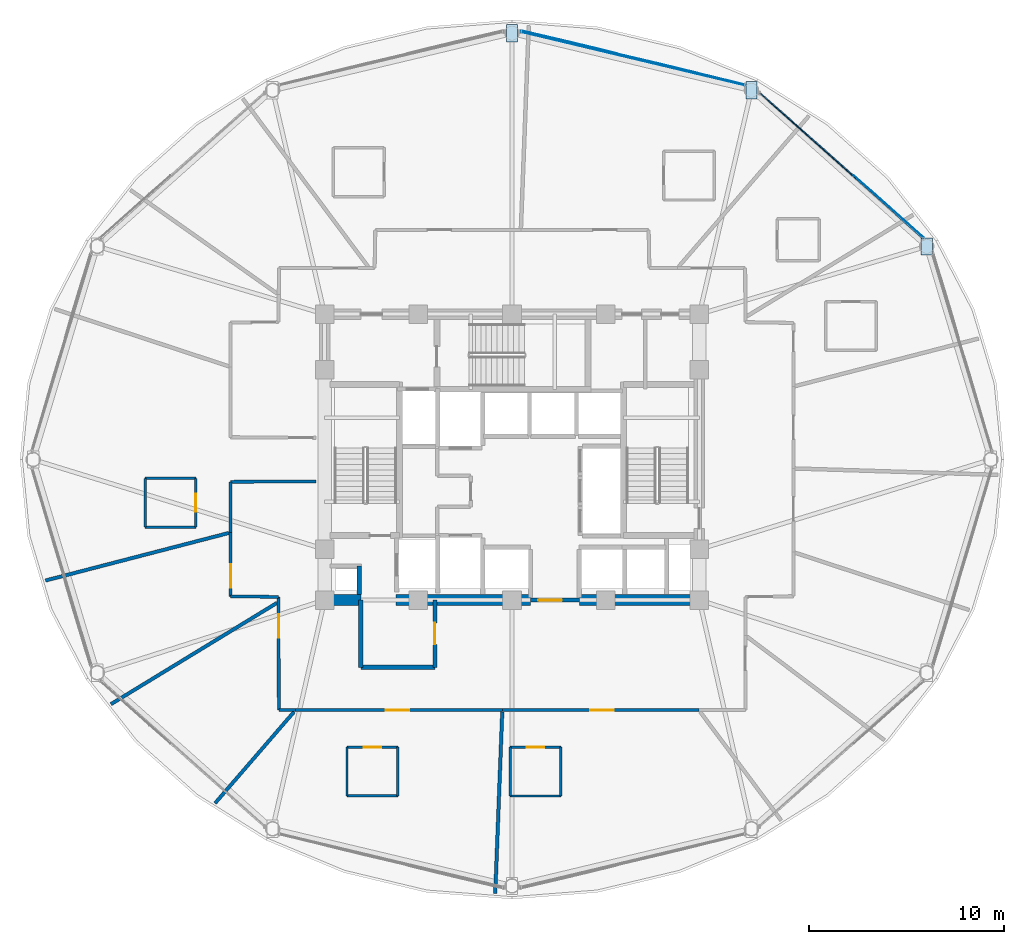
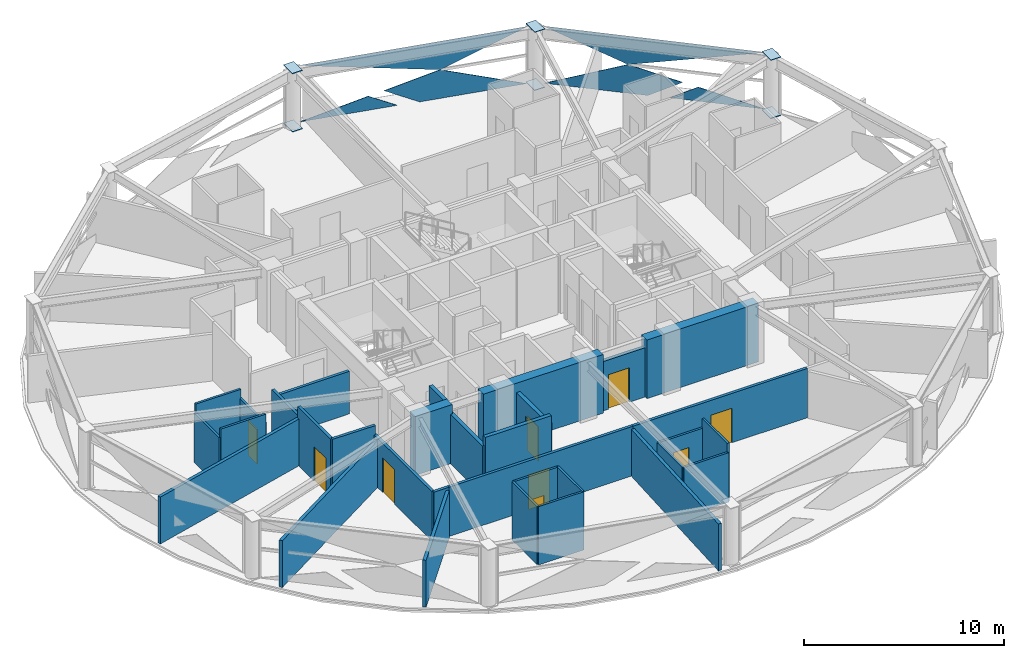
# One storey, part 22 of 29: 32 walls, 12 plates, 9 doors, 9 openings, 2 elements without a shape of their own.
"""IFC4 building model written with IfcOpenShell, lengths in metres."""

from ifc_helpers import new_model, si_unit, direction, frame, frame_2d, origin, place, context, subcontext, project, spatial, polyline, rectangle, outline, extrude, material, layer, layer_set, type_object, element, fill, aggregate, save


model = new_model("IFC4")

# Units and contexts
model_context = context("Model", 3, precision=1e-05, world=origin(), true_north=direction((0.0, 1.0)))
body_context = subcontext(model_context, "Body", "Model", "MODEL_VIEW")
ifc_project = project(units=[si_unit("LENGTHUNIT", "METRE"), si_unit("AREAUNIT", "SQUARE_METRE"), si_unit("VOLUMEUNIT", "CUBIC_METRE"), si_unit("PLANEANGLEUNIT", "RADIAN"), si_unit("MASSUNIT", "GRAM", prefix="KILO")], contexts=[model_context])

# Site, building, storey
site_placement = place(None, origin())
site = spatial("IfcSite", under=ifc_project, at=site_placement, CompositionType="ELEMENT")
building_placement = place(site_placement, origin())
building = spatial("IfcBuilding", under=site, at=building_placement, Name="Vantalir Tower", CompositionType="ELEMENT")
storey_placement = place(building_placement, frame((0.0, 0.0, 168.449951171875)))
storey = spatial("IfcBuildingStorey", under=building, at=storey_placement, Name="L42", CompositionType="ELEMENT", Elevation=168.449951171875)

# Curtain wall, plates
ifc_material_1 = material(Name="Champagne-silver PVDF aluminium and double-silver Low-E glass", Category="aluminium")
ifc_layer_1 = layer(ifc_material_1, 0.199951171875)
ifc_layer_set_1 = layer_set([ifc_layer_1], Name="Champagne-silver PVDF aluminium and double-silver Low-E glass")
curtain_wall_type = type_object("IfcCurtainWallType", Name="CW-DIAMOND-Z2", PredefinedType="USERDEFINED", material=ifc_layer_set_1)
curtain_wall_1_placement = place(storey_placement, origin())
curtain_wall_1 = element("IfcCurtainWall", 1, at=curtain_wall_1_placement, inside=storey, type_object=curtain_wall_type, Name="L42 Quilted Pyramid-Diamond Curtain Wall S02", ObjectType="UNITISED CURTAIN WALL", PredefinedType="USERDEFINED")
ifc_material_2 = material(Name="Double-silver Low-E laminated glass IGU", Category="glass")
ifc_layer_2 = layer(ifc_material_2, 0.028076171875)
ifc_layer_set_2 = layer_set([ifc_layer_2], Name="Double-silver Low-E laminated glass IGU")
plate_type_1 = type_object("IfcPlateType", Name="CWP-IGU-28", PredefinedType="CURTAIN_PANEL", material=ifc_layer_set_2)
plate_1_placement = place(storey_placement, frame((48.142333984375, 40.27099609375, 0.046630859375), z_axis=(-0.66529281519, -0.74645528551, 0.013783206841), x_axis=(-0.746526202019, 0.665356017257, -1.97824e-07)))
plate_1 = element("IfcPlate", 2, at=plate_1_placement, type_object=plate_type_1, Name="CW-L42-S02 Pyramid Diamond Facet 1L", PredefinedType="CURTAIN_PANEL", context=body_context, shape_type="SweptSolid", body=[
    extrude(outline(polyline([(0.0, 0.0), (5.277305557167832, 6.938893903907228e-18), (1.0095132266163, -1.726726726497914), (-1.758535761091525, -1.0384273294963968), (0.0, 0.0)])), origin(), (0.0, 0.0, -1.0), 0.028076171875),
])
plate_2_placement = place(storey_placement, frame((52.5947265625, 36.345703125, 0.046142578125), z_axis=(-0.66528929242, -0.74646046733, 0.013672165296), x_axis=(-0.746530244333, 0.665351481772, 0.0)))
plate_2 = element("IfcPlate", 3, at=plate_2_placement, type_object=plate_type_1, Name="CW-L42-S02 Pyramid Diamond Facet 1L Infill Light", PredefinedType="CURTAIN_PANEL", context=body_context, shape_type="SweptSolid", body=[
    extrude(outline(polyline([(0.0, 0.0), (4.814918684356959, 6.938893903907228e-18), (3.388196723207924, -0.8423638906720254), (0.0, 0.0)])), origin(), (0.0, 0.0, -1.0), 0.028076171875),
])
plate_3_placement = place(storey_placement, frame((44.20263671875, 43.7822265625, 3.5234375), z_axis=(0.665280940162, 0.746465782553, 0.013787898117), x_axis=(0.746536546597, -0.665344410153, 2.1773166e-05)))
plate_3 = element("IfcPlate", 4, at=plate_3_placement, type_object=plate_type_1, Name="CW-L42-S02 Pyramid Diamond Facet 2U", PredefinedType="CURTAIN_PANEL", context=body_context, shape_type="SweptSolid", body=[
    extrude(outline(polyline([(0.0, 0.0), (11.212913349702017, 6.451002926288751e-18), (4.267754765949586, 1.72681957024127), (0.0, 0.0)])), origin(), (0.0, 0.0, -1.0), 0.028076171875),
])
aggregate(curtain_wall_1, [plate_1, plate_2, plate_3])

curtain_wall_2_placement = place(storey_placement, origin())
curtain_wall_2 = element("IfcCurtainWall", 5, at=curtain_wall_2_placement, inside=storey, type_object=curtain_wall_type, Name="L42 Quilted Pyramid-Diamond Curtain Wall S03", ObjectType="UNITISED CURTAIN WALL", PredefinedType="USERDEFINED")
plate_4_placement = place(storey_placement, frame((43.420654296875, 44.190673828125, 0.046630859375), z_axis=(-0.232304514351, -0.972546338374, 0.01371977873), x_axis=(-0.972637884866, 0.232326375865, -3.88302e-07)))
plate_4 = element("IfcPlate", 6, at=plate_4_placement, type_object=plate_type_1, Name="CW-L42-S03 Pyramid Diamond Facet 1L", PredefinedType="CURTAIN_PANEL", context=body_context, shape_type="SweptSolid", body=[
    extrude(outline(polyline([(0.0, 0.0), (5.562818435513051, -3.469446951953614e-18), (7.405648473771786, -1.0376982006502644), (4.487382566431169, -1.7269687663563398), (0.0, 0.0)])), origin(), (0.0, 0.0, -1.0), 0.028076171875),
])
plate_5_placement = place(storey_placement, frame((36.888916015625, 45.78369140625, 0.046142578125), z_axis=(-0.232296528149, -0.972546549028, 0.013839544179), x_axis=(-0.972639853254, 0.232318130051, -4.8079083e-05)))
plate_5 = element("IfcPlate", 7, at=plate_5_placement, type_object=plate_type_1, Name="CW-L42-S03 Pyramid Diamond Facet 1L Infill Light", PredefinedType="CURTAIN_PANEL", context=body_context, shape_type="SweptSolid", body=[
    extrude(outline(polyline([(0.0, 0.0), (5.077896846634379, 3.957337929572091e-18), (1.5000164293768345, -0.8448795979208542), (0.0, 0.0)])), origin(), (0.0, 0.0, -1.0), 0.028076171875),
])
plate_6_placement = place(storey_placement, frame((31.9423828125, 46.932373046875, 3.523681640625), z_axis=(0.232303023776, 0.972547910017, 0.013633336603), x_axis=(0.972638370644, -0.232324341217, -2.0687831e-05)))
plate_6 = element("IfcPlate", 8, at=plate_6_placement, type_object=plate_type_1, Name="CW-L42-S03 Pyramid Diamond Facet 2U", PredefinedType="CURTAIN_PANEL", context=body_context, shape_type="SweptSolid", body=[
    extrude(outline(polyline([(0.0, 0.0), (11.80117074424039, 3.144186300207963e-18), (7.313823281373806, 1.7270599844166414), (0.0, 0.0)])), origin(), (0.0, 0.0, -1.0), 0.028076171875),
])
aggregate(curtain_wall_2, [plate_4, plate_5, plate_6])

# Plates
ifc_material_3 = material(Name="Steel S460", Category="steel")
ifc_layer_3 = layer(ifc_material_3, 0.035888671875)
ifc_layer_set_3 = layer_set([ifc_layer_3], Name="Steel S460")
plate_type_2 = type_object("IfcPlateType", Name="PLT-KN-Z2", PredefinedType="USERDEFINED", material=ifc_layer_set_3)
for number, where, z_axis, x_axis, name in (
    (9, (52.458984375, 36.364013671875, 3.59814453125), (0.0, 0.0, 1.0), (0.0, -1.0, 0.0), "L42 Ring Column Top Cap RC02"),
    (10, (52.458984375, 36.364013671875, 0.052978515625), (0.0, 0.0, 1.0), (0.0, -1.0, 0.0), "L42 Ring Column Base Cap RC02"),
    (11, (43.47802734375, 44.361083984375, 3.59814453125), (0.0, 0.0, 1.0), (0.0, -1.0, 0.0), "L42 Ring Column Top Cap RC03"),
    (12, (43.47802734375, 44.361083984375, 0.052978515625), (0.0, 0.0, 1.0), (0.0, -1.0, 0.0), "L42 Ring Column Base Cap RC03"),
    (13, (31.2099609375, 47.2880859375, 3.59814453125), (0.0, 0.0, 1.0), (0.0, -1.0, 0.0), "L42 Ring Column Top Cap RC04"),
    (14, (31.2099609375, 47.2880859375, 0.052978515625), (0.0, 0.0, 1.0), (0.0, -1.0, 0.0), "L42 Ring Column Base Cap RC04"),
):
    element("IfcPlate", number, at=place(storey_placement, frame(where, z_axis=z_axis, x_axis=x_axis)), inside=storey, type_object=plate_type_2, Name=name, ObjectType="FLANGE_PLATE", PredefinedType="USERDEFINED", context=body_context, shape_type="SweptSolid", body=[
        extrude(outline(polyline([(0.0, 0.0), (0.880126953125, 0.0), (0.880126953125, 0.580078125), (0.0, 0.580078125), (0.0, 0.0)])), origin(), (0.0, 0.0, -1.0), 0.035888671875),
    ])

# Walls
ifc_material_4 = material(Name="Moisture-resistant en-suite partition", Category="gypsum")
ifc_layer_4 = layer(ifc_material_4, 0.125)
ifc_layer_set_4 = layer_set([ifc_layer_4], Name="Moisture-resistant en-suite partition")
wall_type_1 = type_object("IfcWallType", Name="WL-BATH-125", PredefinedType="PARTITIONING", material=ifc_layer_set_4)
for number, where, z_axis, x_axis, name in (
    (15, (12.697998046875, 21.534912109375, 0.0), (0.0, 0.0, 1.0), (1.0, 0.0, 0.0), "L42 En-suite 07 South Wall"),
    (16, (12.697998046875, 24.034912109375, 0.0), (0.0, 0.0, 1.0), (1.0, 0.0, 0.0), "L42 En-suite 07 North Wall"),
):
    element("IfcWall", number, at=place(storey_placement, frame(where, z_axis=z_axis, x_axis=x_axis)), inside=storey, type_object=wall_type_1, Name=name, PredefinedType="PARTITIONING", context=body_context, shape_type="SweptSolid", body=[
        extrude(rectangle(XDim=2.60009765625, YDim=0.125, at=frame_2d((1.300048828125, 0.0))), origin(), (0.0, 0.0, 1.0), 3.550048828125),
    ])
wall_1_placement = place(storey_placement, frame((12.697998046875, 21.534912109375, 0.0), z_axis=(0.0, 0.0, 1.0), x_axis=(0.0, 1.0, 0.0)))
element("IfcWall", 17, at=wall_1_placement, inside=storey, type_object=wall_type_1, Name="L42 En-suite 07 West Wall", PredefinedType="PARTITIONING", context=body_context, shape_type="SweptSolid", body=[
    extrude(rectangle(XDim=2.5, YDim=0.125, at=frame_2d((1.25, 0.0))), origin(), (0.0, 0.0, 1.0), 3.006103515625),
])

# Wall, opening, door
wall_2_placement = place(storey_placement, frame((15.298095703125, 21.534912109375, 0.0), z_axis=(0.0, 0.0, 1.0), x_axis=(0.0, 1.0, 0.0)))
wall_2 = element("IfcWall", 18, at=wall_2_placement, inside=storey, type_object=wall_type_1, Name="L42 En-suite 07 East Wall", PredefinedType="PARTITIONING", context=body_context, shape_type="SweptSolid", body=[
    extrude(rectangle(XDim=2.5, YDim=0.125, at=frame_2d((1.25, 0.0))), origin(), (0.0, 0.0, 1.0), 3.006103515625),
])
opening_1_placement = place(wall_2_placement, frame((0.800048828125, 0.0, 0.0)))
opening_1 = element("IfcOpeningElement", 19, at=opening_1_placement, cuts=wall_2, Name="Opening D-WC", PredefinedType="OPENING", context=body_context, shape_type="SweptSolid", body=[
    extrude(rectangle(XDim=0.89990234375, YDim=2.10009765625, at=frame_2d((0.449951171875, 1.050048828125))), frame((0.0, 0.072509765625, 0.0), z_axis=(0.0, -1.0, 0.0), x_axis=(1.0, 0.0, 0.0)), (0.0, 0.0, 1.0), 0.14501953125),
])
ifc_material_5 = material(Name="Moisture-resistant hardwood door", Category="wood")
door_type_1 = type_object("IfcDoorType", Name="DR-ENSUITE-900", OperationType="NOTDEFINED", PredefinedType="DOOR", material=ifc_material_5)
door_1_placement = place(opening_1_placement, origin())
door_1 = element("IfcDoor", 20, at=door_1_placement, inside=storey, type_object=door_type_1, Name="L42 En-suite 07 Door", OperationType="SINGLE_SWING_RIGHT", OverallHeight=2.10009765625, OverallWidth=0.89990234375, PredefinedType="DOOR", context=body_context, shape_type="SweptSolid", body=[
    extrude(rectangle(XDim=0.89990234375, YDim=2.10009765625, at=frame_2d((0.449951171875, 1.050048828125))), frame((0.0, 0.02490234375, 0.0), z_axis=(0.0, -1.0, 0.0), x_axis=(1.0, 0.0, 0.0)), (0.0, 0.0, 1.0), 0.050048828125),
])
fill(opening_1, door_1)

# Wall
wall_3_placement = place(storey_placement, frame((23.0458984375, 7.764892578125, 0.0), z_axis=(0.0, 0.0, 1.0), x_axis=(1.0, 0.0, 0.0)))
element("IfcWall", 21, at=wall_3_placement, inside=storey, type_object=wall_type_1, Name="L42 En-suite 10 South Wall", PredefinedType="PARTITIONING", context=body_context, shape_type="SweptSolid", body=[
    extrude(rectangle(XDim=2.60009765625, YDim=0.125, at=frame_2d((1.300048828125, 0.0))), origin(), (0.0, 0.0, 1.0), 3.550048828125),
])

# Wall, opening, door
wall_4_placement = place(storey_placement, frame((23.0458984375, 10.264892578125, 0.0), z_axis=(0.0, 0.0, 1.0), x_axis=(1.0, 0.0, 0.0)))
wall_4 = element("IfcWall", 22, at=wall_4_placement, inside=storey, type_object=wall_type_1, Name="L42 En-suite 10 North Wall", PredefinedType="PARTITIONING", context=body_context, shape_type="SweptSolid", body=[
    extrude(rectangle(XDim=2.60009765625, YDim=0.125, at=frame_2d((1.300048828125, 0.0))), origin(), (0.0, 0.0, 1.0), 3.550048828125),
])
opening_2_placement = place(wall_4_placement, frame((0.85009765625, 0.0, 0.0)))
opening_2 = element("IfcOpeningElement", 23, at=opening_2_placement, cuts=wall_4, Name="Opening D-WC", PredefinedType="OPENING", context=body_context, shape_type="SweptSolid", body=[
    extrude(rectangle(XDim=0.89990234375, YDim=2.10009765625, at=frame_2d((0.449951171875, 1.050048828125))), frame((0.0, 0.072509765625, 0.0), z_axis=(0.0, -1.0, 0.0), x_axis=(1.0, 0.0, 0.0)), (0.0, 0.0, 1.0), 0.14501953125),
])
door_2_placement = place(opening_2_placement, frame((0.89990234375, 0.0, 0.0), z_axis=(0.0, 0.0, 1.0), x_axis=(-1.0, 0.0, 0.0)))
door_2 = element("IfcDoor", 24, at=door_2_placement, inside=storey, type_object=door_type_1, Name="L42 En-suite 10 Door", OperationType="SINGLE_SWING_LEFT", OverallHeight=2.10009765625, OverallWidth=0.89990234375, PredefinedType="DOOR", context=body_context, shape_type="SweptSolid", body=[
    extrude(rectangle(XDim=0.89990234375, YDim=2.10009765625, at=frame_2d((0.449951171875, 1.050048828125))), frame((0.0, 0.02490234375, 0.0), z_axis=(0.0, -1.0, 0.0), x_axis=(1.0, 0.0, 0.0)), (0.0, 0.0, 1.0), 0.050048828125),
])
fill(opening_2, door_2)

# Walls
for number, where, z_axis, x_axis, name in (
    (25, (23.0458984375, 7.764892578125, 0.0), (0.0, 0.0, 1.0), (0.0, 1.0, 0.0), "L42 En-suite 10 West Wall"),
    (26, (25.64599609375, 7.764892578125, 0.0), (0.0, 0.0, 1.0), (0.0, 1.0, 0.0), "L42 En-suite 10 East Wall"),
):
    element("IfcWall", number, at=place(storey_placement, frame(where, z_axis=z_axis, x_axis=x_axis)), inside=storey, type_object=wall_type_1, Name=name, PredefinedType="PARTITIONING", context=body_context, shape_type="SweptSolid", body=[
        extrude(rectangle(XDim=2.5, YDim=0.125, at=frame_2d((1.25, 0.0))), origin(), (0.0, 0.0, 1.0), 3.550048828125),
    ])
wall_5_placement = place(storey_placement, frame((31.402099609375, 7.760009765625, 0.0), z_axis=(0.0, 0.0, 1.0), x_axis=(1.0, 0.0, 0.0)))
element("IfcWall", 27, at=wall_5_placement, inside=storey, type_object=wall_type_1, Name="L42 En-suite 11 South Wall", PredefinedType="PARTITIONING", context=body_context, shape_type="SweptSolid", body=[
    extrude(rectangle(XDim=2.599853515625, YDim=0.125, at=frame_2d((1.2998046875, 0.0))), origin(), (0.0, 0.0, 1.0), 3.006103515625),
])

# Wall, opening, door
wall_6_placement = place(storey_placement, frame((31.402099609375, 10.260009765625, 0.0), z_axis=(0.0, 0.0, 1.0), x_axis=(1.0, 0.0, 0.0)))
wall_6 = element("IfcWall", 28, at=wall_6_placement, inside=storey, type_object=wall_type_1, Name="L42 En-suite 11 North Wall", PredefinedType="PARTITIONING", context=body_context, shape_type="SweptSolid", body=[
    extrude(rectangle(XDim=2.599853515625, YDim=0.125, at=frame_2d((1.2998046875, 0.0))), origin(), (0.0, 0.0, 1.0), 3.006103515625),
])
opening_3_placement = place(wall_6_placement, frame((0.85009765625, 0.0, 0.0)))
opening_3 = element("IfcOpeningElement", 29, at=opening_3_placement, cuts=wall_6, Name="Opening D-WC", PredefinedType="OPENING", context=body_context, shape_type="SweptSolid", body=[
    extrude(rectangle(XDim=0.89990234375, YDim=2.10009765625, at=frame_2d((0.449951171875, 1.050048828125))), frame((0.0, 0.072509765625, 0.0), z_axis=(0.0, -1.0, 0.0), x_axis=(1.0, 0.0, 0.0)), (0.0, 0.0, 1.0), 0.14501953125),
])
door_3_placement = place(opening_3_placement, frame((0.89990234375, 0.0, 0.0), z_axis=(0.0, 0.0, 1.0), x_axis=(-1.0, 0.0, 0.0)))
door_3 = element("IfcDoor", 30, at=door_3_placement, inside=storey, type_object=door_type_1, Name="L42 En-suite 11 Door", OperationType="SINGLE_SWING_RIGHT", OverallHeight=2.10009765625, OverallWidth=0.89990234375, PredefinedType="DOOR", context=body_context, shape_type="SweptSolid", body=[
    extrude(rectangle(XDim=0.89990234375, YDim=2.10009765625, at=frame_2d((0.449951171875, 1.050048828125))), frame((0.0, 0.02490234375, 0.0), z_axis=(0.0, -1.0, 0.0), x_axis=(1.0, 0.0, 0.0)), (0.0, 0.0, 1.0), 0.050048828125),
])
fill(opening_3, door_3)

# Walls
wall_7_placement = place(storey_placement, frame((31.402099609375, 7.760009765625, 0.0), z_axis=(0.0, 0.0, 1.0), x_axis=(0.0, 1.0, 0.0)))
element("IfcWall", 31, at=wall_7_placement, inside=storey, type_object=wall_type_1, Name="L42 En-suite 11 West Wall", PredefinedType="PARTITIONING", context=body_context, shape_type="SweptSolid", body=[
    extrude(rectangle(XDim=2.5, YDim=0.125, at=frame_2d((1.25, 0.0))), origin(), (0.0, 0.0, 1.0), 3.006103515625),
])
wall_8_placement = place(storey_placement, frame((34.001953125, 7.760009765625, 0.0), z_axis=(0.0, 0.0, 1.0), x_axis=(0.0, 1.0, 0.0)))
element("IfcWall", 32, at=wall_8_placement, inside=storey, type_object=wall_type_1, Name="L42 En-suite 11 East Wall", PredefinedType="PARTITIONING", context=body_context, shape_type="SweptSolid", body=[
    extrude(rectangle(XDim=2.5, YDim=0.125, at=frame_2d((1.25, 0.0))), origin(), (0.0, 0.0, 1.0), 3.550048828125),
])
ifc_material_6 = material(Name="Concrete C60/75", Category="concrete")
ifc_layer_5 = layer(ifc_material_6, 0.550048828125)
ifc_layer_set_5 = layer_set([ifc_layer_5], Name="Concrete C60/75")
wall_type_2 = type_object("IfcWallType", Name="WL-CORE-550", PredefinedType="SHEAR", material=ifc_layer_set_5)
wall_9_placement = place(storey_placement, frame((21.625, 17.800048828125, 0.0), z_axis=(0.0, 0.0, 1.0), x_axis=(1.0, 0.0, 0.0)))
element("IfcWall", 33, at=wall_9_placement, inside=storey, type_object=wall_type_2, Name="L42 Core Shear Wall South-West", PredefinedType="SHEAR", context=body_context, shape_type="SweptSolid", body=[
    extrude(rectangle(XDim=2.125, YDim=0.550048828125, at=frame_2d((1.0625, 0.0))), origin(), (0.0, 0.0, 1.0), 3.570068359375),
])
wall_10_placement = place(storey_placement, frame((25.550048828125, 17.800048828125, 0.0), z_axis=(0.0, 0.0, 1.0), x_axis=(1.0, 0.0, 0.0)))
element("IfcWall", 34, at=wall_10_placement, inside=storey, type_object=wall_type_2, Name="L42 Core Shear Wall South-Mid", PredefinedType="SHEAR", context=body_context, shape_type="SweptSolid", body=[
    extrude(rectangle(XDim=6.89990234375, YDim=0.550048828125, at=frame_2d((3.449951171875, 0.0))), origin(), (0.0, 0.0, 1.0), 3.570068359375),
])
wall_11_placement = place(storey_placement, frame((34.949951171875, 17.800048828125, 0.0), z_axis=(0.0, 0.0, 1.0), x_axis=(1.0, 0.0, 0.0)))
element("IfcWall", 35, at=wall_11_placement, inside=storey, type_object=wall_type_2, Name="L42 Core Shear Wall South-East", PredefinedType="SHEAR", context=body_context, shape_type="SweptSolid", body=[
    extrude(rectangle(XDim=6.425048828125, YDim=0.550048828125, at=frame_2d((3.21240234375, 0.0))), origin(), (0.0, 0.0, 1.0), 3.570068359375),
])

# Wall, opening, door
ifc_material_7 = material(Name="Fire-rated hotel corridor acoustic partition", Category="gypsum")
ifc_layer_6 = layer(ifc_material_7, 0.159912109375)
ifc_layer_set_6 = layer_set([ifc_layer_6], Name="Fire-rated hotel corridor acoustic partition")
wall_type_3 = type_object("IfcWallType", Name="WL-CORR-160", PredefinedType="PARTITIONING", material=ifc_layer_set_6)
wall_12_placement = place(storey_placement, frame((41.072021484375, 12.1669921875, 0.0), z_axis=(0.0, 0.0, 1.0), x_axis=(-0.999999882398, -0.000484977755, 0.0)))
wall_12 = element("IfcWall", 36, at=wall_12_placement, inside=storey, type_object=wall_type_3, Name="L42 Corridor Partition 24", PredefinedType="PARTITIONING", context=body_context, shape_type="SweptSolid", body=[
    extrude(rectangle(XDim=10.068115234375, YDim=0.159912109375, at=frame_2d((5.0341796875, 0.0))), origin(), (0.0, 0.0, 1.0), 3.006103515625),
])
opening_4_placement = place(wall_12_placement, frame((4.35888671875, 0.0, 0.0)))
opening_4 = element("IfcOpeningElement", 37, at=opening_4_placement, cuts=wall_12, Name="Opening D-STE", PredefinedType="OPENING", context=body_context, shape_type="SweptSolid", body=[
    extrude(rectangle(XDim=1.199951171875, YDim=2.10009765625, at=frame_2d((0.60009765625, 1.050048828125))), frame((0.0, 0.08984375, 0.0), z_axis=(0.0, -1.0, 0.0), x_axis=(1.0, 0.0, 0.0)), (0.0, 0.0, 1.0), 0.179931640625),
])
ifc_material_8 = material(Name="Solid-core teak veneer suite entrance door", Category="wood")
door_type_2 = type_object("IfcDoorType", Name="DR-SUITE-ENTRY-1200", OperationType="NOTDEFINED", PredefinedType="DOOR", material=ifc_material_8)
door_4_placement = place(opening_4_placement, origin())
door_4 = element("IfcDoor", 38, at=door_4_placement, inside=storey, type_object=door_type_2, Name="L42 Executive Club Hotel Suite 11 Door", OperationType="SINGLE_SWING_LEFT", OverallHeight=2.10009765625, OverallWidth=1.199951171875, PredefinedType="DOOR", context=body_context, shape_type="SweptSolid", body=[
    extrude(rectangle(XDim=1.199951171875, YDim=2.10009765625, at=frame_2d((0.60009765625, 1.050048828125))), frame((0.0, 0.02490234375, 0.0), z_axis=(0.0, -1.0, 0.0), x_axis=(1.0, 0.0, 0.0)), (0.0, 0.0, 1.0), 0.050048828125),
])
fill(opening_4, door_4)

wall_13_placement = place(storey_placement, frame((31.00390625, 12.162109375, 0.0), z_axis=(0.0, 0.0, 1.0), x_axis=(-0.999999883026, -0.000483681451, 0.0)))
wall_13 = element("IfcWall", 39, at=wall_13_placement, inside=storey, type_object=wall_type_3, Name="L42 Corridor Partition 25", PredefinedType="PARTITIONING", context=body_context, shape_type="SweptSolid", body=[
    extrude(rectangle(XDim=10.599853515625, YDim=0.159912109375, at=frame_2d((5.2998046875, 0.0))), origin(), (0.0, 0.0, 1.0), 3.006103515625),
])
opening_5_placement = place(wall_13_placement, frame((4.77392578125, 0.0, 0.0)))
opening_5 = element("IfcOpeningElement", 40, at=opening_5_placement, cuts=wall_13, Name="Opening D-STE", PredefinedType="OPENING", context=body_context, shape_type="SweptSolid", body=[
    extrude(rectangle(XDim=1.199951171875, YDim=2.10009765625, at=frame_2d((0.60009765625, 1.050048828125))), frame((0.0, 0.08984375, 0.0), z_axis=(0.0, -1.0, 0.0), x_axis=(1.0, 0.0, 0.0)), (0.0, 0.0, 1.0), 0.179931640625),
])
door_5_placement = place(opening_5_placement, origin())
door_5 = element("IfcDoor", 41, at=door_5_placement, inside=storey, type_object=door_type_2, Name="L42 Corner Panorama Hotel Suite 10 Door", OperationType="SINGLE_SWING_RIGHT", OverallHeight=2.10009765625, OverallWidth=1.199951171875, PredefinedType="DOOR", context=body_context, shape_type="SweptSolid", body=[
    extrude(rectangle(XDim=1.199951171875, YDim=2.10009765625, at=frame_2d((0.60009765625, 1.050048828125))), frame((0.0, 0.02490234375, 0.0), z_axis=(0.0, -1.0, 0.0), x_axis=(1.0, 0.0, 0.0)), (0.0, 0.0, 1.0), 0.050048828125),
])
fill(opening_5, door_5)

# Wall
wall_14_placement = place(storey_placement, frame((20.404052734375, 12.156982421875, 0.0), z_axis=(0.0, 0.0, 1.0), x_axis=(-1.0, 0.0, 0.0)))
element("IfcWall", 42, at=wall_14_placement, inside=storey, type_object=wall_type_3, Name="L42 Corridor Partition 26", PredefinedType="PARTITIONING", context=body_context, shape_type="SweptSolid", body=[
    extrude(rectangle(XDim=0.85107421875, YDim=0.159912109375, at=frame_2d((0.425537109375, 0.0))), origin(), (0.0, 0.0, 1.0), 3.006103515625),
])

# Wall, opening, door
wall_15_placement = place(storey_placement, frame((19.552978515625, 12.156982421875, 0.0), z_axis=(0.0, 0.0, 1.0), x_axis=(-0.003113283747, 0.99999515372, 0.0)))
wall_15 = element("IfcWall", 43, at=wall_15_placement, inside=storey, type_object=wall_type_3, Name="L42 Corridor Partition 27", PredefinedType="PARTITIONING", context=body_context, shape_type="SweptSolid", body=[
    extrude(rectangle(XDim=5.802978515625, YDim=0.159912109375, at=frame_2d((2.9013671875, 0.0))), origin(), (0.0, 0.0, 1.0), 3.006103515625),
])
opening_6_placement = place(wall_15_placement, frame((3.705078125, 0.0, 0.0)))
opening_6 = element("IfcOpeningElement", 44, at=opening_6_placement, cuts=wall_15, Name="Opening D-STE", PredefinedType="OPENING", context=body_context, shape_type="SweptSolid", body=[
    extrude(rectangle(XDim=1.199951171875, YDim=2.10009765625, at=frame_2d((0.60009765625, 1.050048828125))), frame((0.0, 0.08984375, 0.0), z_axis=(0.0, -1.0, 0.0), x_axis=(1.0, 0.0, 0.0)), (0.0, 0.0, 1.0), 0.179931640625),
])
door_6_placement = place(opening_6_placement, origin())
door_6 = element("IfcDoor", 45, at=door_6_placement, inside=storey, type_object=door_type_2, Name="L42 Executive Sky Boardroom 09 Door", OperationType="SINGLE_SWING_LEFT", OverallHeight=2.10009765625, OverallWidth=1.199951171875, PredefinedType="DOOR", context=body_context, shape_type="SweptSolid", body=[
    extrude(rectangle(XDim=1.199951171875, YDim=2.10009765625, at=frame_2d((0.60009765625, 1.050048828125))), frame((0.0, 0.02490234375, 0.0), z_axis=(0.0, -1.0, 0.0), x_axis=(1.0, 0.0, 0.0)), (0.0, 0.0, 1.0), 0.050048828125),
])
fill(opening_6, door_6)

# Wall
wall_16_placement = place(storey_placement, frame((19.534912109375, 17.9599609375, 0.0), z_axis=(0.0, 0.0, 1.0), x_axis=(-0.999915428104, 0.013005254277, 0.0)))
element("IfcWall", 46, at=wall_16_placement, inside=storey, type_object=wall_type_3, Name="L42 Corridor Partition 28", PredefinedType="PARTITIONING", context=body_context, shape_type="SweptSolid", body=[
    extrude(rectangle(XDim=2.459228515625, YDim=0.159912109375, at=frame_2d((1.2294921875, 0.0))), origin(), (0.0, 0.0, 1.0), 3.550048828125),
])

# Wall, opening, door
wall_17_placement = place(storey_placement, frame((17.075927734375, 17.991943359375, 0.0), z_axis=(0.0, 0.0, 1.0), x_axis=(0.0, 1.0, 0.0)))
wall_17 = element("IfcWall", 47, at=wall_17_placement, inside=storey, type_object=wall_type_3, Name="L42 Corridor Partition 29", PredefinedType="PARTITIONING", context=body_context, shape_type="SweptSolid", body=[
    extrude(rectangle(XDim=3.26806640625, YDim=0.159912109375, at=frame_2d((1.634033203125, 0.0))), origin(), (0.0, 0.0, 1.0), 3.550048828125),
])
opening_7_placement = place(wall_17_placement, frame((0.450927734375, 0.0, 0.0)))
opening_7 = element("IfcOpeningElement", 48, at=opening_7_placement, cuts=wall_17, Name="Opening D-STE", PredefinedType="OPENING", context=body_context, shape_type="SweptSolid", body=[
    extrude(rectangle(XDim=1.199951171875, YDim=2.10009765625, at=frame_2d((0.60009765625, 1.050048828125))), frame((0.0, 0.08984375, 0.0), z_axis=(0.0, -1.0, 0.0), x_axis=(1.0, 0.0, 0.0)), (0.0, 0.0, 1.0), 0.179931640625),
])
door_7_placement = place(opening_7_placement, origin())
door_7 = element("IfcDoor", 49, at=door_7_placement, inside=storey, type_object=door_type_2, Name="L42 Club Reading Lounge 08 Door", OperationType="SINGLE_SWING_RIGHT", OverallHeight=2.10009765625, OverallWidth=1.199951171875, PredefinedType="DOOR", context=body_context, shape_type="SweptSolid", body=[
    extrude(rectangle(XDim=1.199951171875, YDim=2.10009765625, at=frame_2d((0.60009765625, 1.050048828125))), frame((0.0, 0.02490234375, 0.0), z_axis=(0.0, -1.0, 0.0), x_axis=(1.0, 0.0, 0.0)), (0.0, 0.0, 1.0), 0.050048828125),
])
fill(opening_7, door_7)

# Walls
wall_18_placement = place(storey_placement, frame((17.075927734375, 21.260009765625, 0.0), z_axis=(0.0, 0.0, 1.0), x_axis=(0.0, 1.0, 0.0)))
element("IfcWall", 50, at=wall_18_placement, inside=storey, type_object=wall_type_3, Name="L42 Corridor Partition 30", PredefinedType="PARTITIONING", context=body_context, shape_type="SweptSolid", body=[
    extrude(rectangle(XDim=2.597900390625, YDim=0.159912109375, at=frame_2d((1.298828125, 0.0))), origin(), (0.0, 0.0, 1.0), 3.006103515625),
])
wall_19_placement = place(storey_placement, frame((17.075927734375, 23.85791015625, 0.0), z_axis=(0.0, 0.0, 1.0), x_axis=(0.99998212632, 0.005978882852, 0.0)))
element("IfcWall", 51, at=wall_19_placement, inside=storey, type_object=wall_type_3, Name="L42 Corridor Partition 31", PredefinedType="PARTITIONING", context=body_context, shape_type="SweptSolid", body=[
    extrude(rectangle(XDim=4.369140625, YDim=0.159912109375, at=frame_2d((2.1845703125, 0.0))), origin(), (0.0, 0.0, 1.0), 2.594970703125),
])

# Wall, opening, door
ifc_material_9 = material(Name="Concrete blockwork with fireboard lining", Category="masonry")
ifc_layer_7 = layer(ifc_material_9, 0.219970703125)
ifc_layer_set_7 = layer_set([ifc_layer_7], Name="Concrete blockwork with fireboard lining")
wall_type_4 = type_object("IfcWallType", Name="WL-FFL-220", PredefinedType="PARTITIONING", material=ifc_layer_set_7)
wall_20_placement = place(storey_placement, frame((32.449951171875, 17.800048828125, 0.0), z_axis=(0.0, 0.0, 1.0), x_axis=(1.0, 0.0, 0.0)))
wall_20 = element("IfcWall", 52, at=wall_20_placement, inside=storey, type_object=wall_type_4, Name="L42 Passenger Lift Lobby South Wall", PredefinedType="PARTITIONING", context=body_context, shape_type="SweptSolid", body=[
    extrude(rectangle(XDim=2.5, YDim=0.219970703125, at=frame_2d((1.25, 0.0))), origin(), (0.0, 0.0, 1.0), 3.006103515625),
])
opening_8_placement = place(wall_20_placement, frame((0.39990234375, 0.0, 0.0)))
opening_8 = element("IfcOpeningElement", 53, at=opening_8_placement, cuts=wall_20, Name="Opening D-STE", PredefinedType="OPENING", context=body_context, shape_type="SweptSolid", body=[
    extrude(rectangle(XDim=1.199951171875, YDim=2.10009765625, at=frame_2d((0.60009765625, 1.050048828125))), frame((0.0, 0.119873046875, 0.0), z_axis=(0.0, -1.0, 0.0), x_axis=(1.0, 0.0, 0.0)), (0.0, 0.0, 1.0), 0.239990234375),
])
door_8_placement = place(opening_8_placement, origin())
door_8 = element("IfcDoor", 54, at=door_8_placement, inside=storey, type_object=door_type_2, Name="L42 Passenger Lift Lobby Concourse Door", OperationType="SINGLE_SWING_LEFT", OverallHeight=2.10009765625, OverallWidth=1.199951171875, PredefinedType="DOOR", context=body_context, shape_type="SweptSolid", body=[
    extrude(rectangle(XDim=1.199951171875, YDim=2.10009765625, at=frame_2d((0.60009765625, 1.050048828125))), frame((0.0, 0.02490234375, 0.0), z_axis=(0.0, -1.0, 0.0), x_axis=(1.0, 0.0, 0.0)), (0.0, 0.0, 1.0), 0.050048828125),
])
fill(opening_8, door_8)

# Walls
wall_21_placement = place(storey_placement, frame((23.679931640625, 18.074951171875, 0.0), z_axis=(0.0, 0.0, 1.0), x_axis=(0.0, 1.0, 0.0)))
element("IfcWall", 55, at=wall_21_placement, inside=storey, type_object=wall_type_4, Name="L42 West MEP Riser Wall E", PredefinedType="PARTITIONING", context=body_context, shape_type="SweptSolid", body=[
    extrude(rectangle(XDim=1.47509765625, YDim=0.219970703125, at=frame_2d((0.737548828125, 0.0))), origin(), (0.0, 0.0, 1.0), 3.550048828125),
])
wall_22_placement = place(storey_placement, frame((23.75, 14.35009765625, 0.0), z_axis=(0.0, 0.0, 1.0), x_axis=(0.0, 1.0, 0.0)))
element("IfcWall", 56, at=wall_22_placement, inside=storey, type_object=wall_type_4, Name="L42 Firefighting Lobby West Outer W", PredefinedType="PARTITIONING", context=body_context, shape_type="SweptSolid", body=[
    extrude(rectangle(XDim=3.449951171875, YDim=0.219970703125, at=frame_2d((1.72509765625, 0.0))), origin(), (0.0, 0.0, 1.0), 3.006103515625),
])
wall_23_placement = place(storey_placement, frame((23.75, 14.35009765625, 0.0), z_axis=(0.0, 0.0, 1.0), x_axis=(1.0, 0.0, 0.0)))
element("IfcWall", 57, at=wall_23_placement, inside=storey, type_object=wall_type_4, Name="L42 Firefighting Lobby West South Wall", PredefinedType="PARTITIONING", context=body_context, shape_type="SweptSolid", body=[
    extrude(rectangle(XDim=3.800048828125, YDim=0.219970703125, at=frame_2d((1.89990234375, 0.0))), origin(), (0.0, 0.0, 1.0), 3.550048828125),
])

# Wall, opening, door
wall_24_placement = place(storey_placement, frame((27.550048828125, 14.35009765625, 0.0), z_axis=(0.0, 0.0, 1.0), x_axis=(0.0, 1.0, 0.0)))
wall_24 = element("IfcWall", 58, at=wall_24_placement, inside=storey, type_object=wall_type_4, Name="L42 Firefighting Lobby West East Wall", PredefinedType="PARTITIONING", context=body_context, shape_type="SweptSolid", body=[
    extrude(rectangle(XDim=3.449951171875, YDim=0.219970703125, at=frame_2d((1.72509765625, 0.0))), origin(), (0.0, 0.0, 1.0), 3.006103515625),
])
opening_9_placement = place(wall_24_placement, frame((1.175048828125, 0.0, 0.0)))
opening_9 = element("IfcOpeningElement", 59, at=opening_9_placement, cuts=wall_24, Name="Opening D-FFL", PredefinedType="OPENING", context=body_context, shape_type="SweptSolid", body=[
    extrude(rectangle(XDim=1.10009765625, YDim=2.10009765625, at=frame_2d((0.550048828125, 1.050048828125))), frame((0.0, 0.119873046875, 0.0), z_axis=(0.0, -1.0, 0.0), x_axis=(1.0, 0.0, 0.0)), (0.0, 0.0, 1.0), 0.239990234375),
])
ifc_material_10 = material(Name="Fire-rated acoustic steel door", Category="steel")
door_type_3 = type_object("IfcDoorType", Name="DR-FIRE-LOBBY-1100", OperationType="NOTDEFINED", PredefinedType="DOOR", material=ifc_material_10)
door_9_placement = place(opening_9_placement, origin())
door_9 = element("IfcDoor", 60, at=door_9_placement, inside=storey, type_object=door_type_3, Name="L42 Firefighting Lobby West Access Door", OperationType="SINGLE_SWING_LEFT", OverallHeight=2.10009765625, OverallWidth=1.10009765625, PredefinedType="DOOR", context=body_context, shape_type="SweptSolid", body=[
    extrude(rectangle(XDim=1.10009765625, YDim=2.10009765625, at=frame_2d((0.550048828125, 1.050048828125))), frame((0.0, 0.02490234375, 0.0), z_axis=(0.0, -1.0, 0.0), x_axis=(1.0, 0.0, 0.0)), (0.0, 0.0, 1.0), 0.050048828125),
])
fill(opening_9, door_9)

# Walls
ifc_material_11 = material(Name="Twin-stud acoustic fire-rated gypsum partition", Category="gypsum")
ifc_layer_8 = layer(ifc_material_11, 0.179931640625)
ifc_layer_set_8 = layer_set([ifc_layer_8], Name="Twin-stud acoustic fire-rated gypsum partition")
wall_type_5 = type_object("IfcWallType", Name="WL-GUEST-180", PredefinedType="PARTITIONING", material=ifc_layer_set_8)
wall_25_placement = place(storey_placement, frame((17.0, 21.239990234375, 0.0), z_axis=(0.0, 0.0, 1.0), x_axis=(-0.96796954255, -0.251067649639, 0.0)))
element("IfcWall", 61, at=wall_25_placement, inside=storey, type_object=wall_type_5, Name="L42 Radial Suite Partition 08", PredefinedType="PARTITIONING", context=body_context, shape_type="SweptSolid", body=[
    extrude(rectangle(XDim=9.71826171875, YDim=0.179931640625, at=frame_2d((4.859130859375, 0.0))), origin(), (0.0, 0.0, 1.0), 2.85205078125),
])
wall_26_placement = place(storey_placement, frame((19.4599609375, 17.656005859375, 0.0), z_axis=(0.0, 0.0, 1.0), x_axis=(-0.853711993856, -0.520745457537, 0.0)))
element("IfcWall", 62, at=wall_26_placement, inside=storey, type_object=wall_type_5, Name="L42 Radial Suite Partition 09", PredefinedType="PARTITIONING", context=body_context, shape_type="SweptSolid", body=[
    extrude(rectangle(XDim=9.96826171875, YDim=0.179931640625, at=frame_2d((4.984130859375, 0.0))), origin(), (0.0, 0.0, 1.0), 2.85205078125),
])
wall_27_placement = place(storey_placement, frame((20.333984375, 12.074951171875, 0.0), z_axis=(0.0, 0.0, 1.0), x_axis=(-0.653796426348, -0.756670491624, 0.0)))
element("IfcWall", 63, at=wall_27_placement, inside=storey, type_object=wall_type_5, Name="L42 Radial Suite Partition 10", PredefinedType="PARTITIONING", context=body_context, shape_type="SweptSolid", body=[
    extrude(rectangle(XDim=6.191650390625, YDim=0.179931640625, at=frame_2d((3.095703125, 0.0))), origin(), (0.0, 0.0, 1.0), 2.85205078125),
])
wall_28_placement = place(storey_placement, frame((31.0009765625, 12.074951171875, 0.0), z_axis=(0.0, 0.0, 1.0), x_axis=(-0.038536822303, -0.999257180773, 0.0)))
element("IfcWall", 64, at=wall_28_placement, inside=storey, type_object=wall_type_5, Name="L42 Radial Suite Partition 11", PredefinedType="PARTITIONING", context=body_context, shape_type="SweptSolid", body=[
    extrude(rectangle(XDim=9.312744140625, YDim=0.179931640625, at=frame_2d((4.65625, 0.0))), origin(), (0.0, 0.0, 1.0), 2.85205078125),
])

save(model, "model.ifc")
